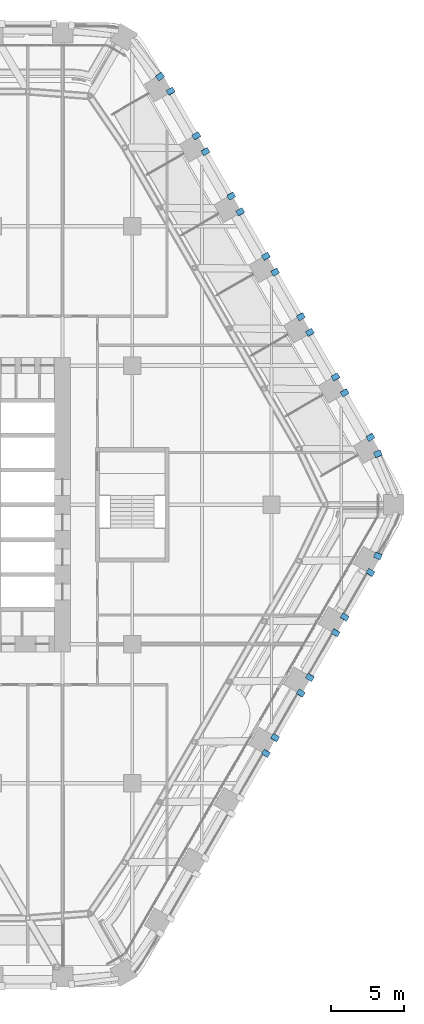
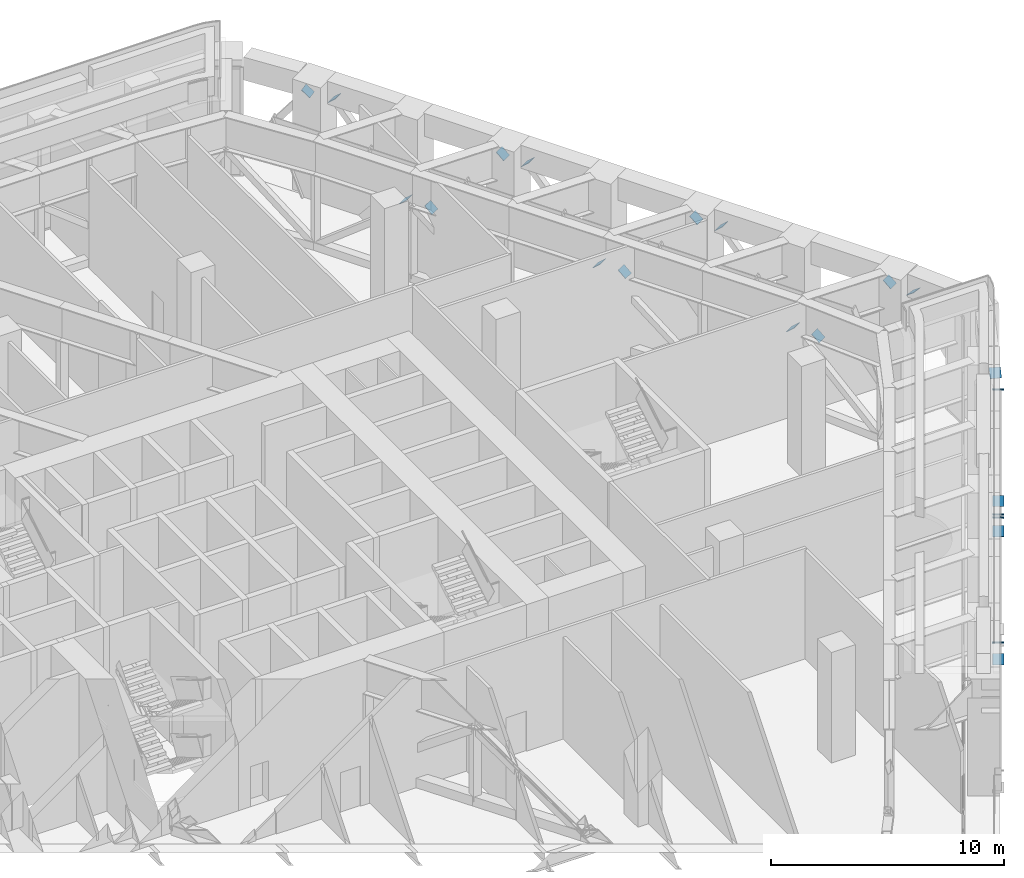
# One storey, part 30 of 35: 22 discrete accessories.
"""IFC4 building model written with IfcOpenShell, lengths in metres."""

from ifc_helpers import new_model, si_unit, direction, frame, origin, origin_2d, place, context, subcontext, project, spatial, rectangle, extrude, element, save


model = new_model("IFC4")

# Units and contexts
model_context = context("Model", 3, precision=1e-05, world=origin(), true_north=direction((0.0, 1.0)))
body_context = subcontext(model_context, "Body", "Model", "MODEL_VIEW")
ifc_project = project(units=[si_unit("LENGTHUNIT", "METRE"), si_unit("AREAUNIT", "SQUARE_METRE"), si_unit("VOLUMEUNIT", "CUBIC_METRE"), si_unit("PLANEANGLEUNIT", "RADIAN"), si_unit("MASSUNIT", "GRAM", prefix="KILO")], contexts=[model_context])

# Site, building, storey
site_placement = place(None, origin())
site = spatial("IfcSite", under=ifc_project, at=site_placement, CompositionType="ELEMENT")
building_placement = place(site_placement, origin())
building = spatial("IfcBuilding", under=site, at=building_placement, Name="Kolab Exchange Tower", CompositionType="ELEMENT")
storey_placement = place(building_placement, frame((0.0, 0.0, 71.89990234375)))
storey = spatial("IfcBuildingStorey", under=building, at=storey_placement, Name="L13", CompositionType="ELEMENT", Elevation=71.89990234375)

# Discrete accessories
for number, where, z_axis, x_axis, name in (
    (1, (21.110107421875, 29.5419921875, 4.4501953125), (0.362292688761, -0.489584714542, 0.793127237558), (0.803841899203, 0.59484300541, 0.0), "Gusset plate"),
    (2, (21.851318359375, 28.51171875, 4.4501953125), (-0.332614786834, 0.567401695188, 0.753274664301), (-0.862697970098, -0.505719499712, 0.0), "Gusset plate"),
    (3, (23.617431640625, 25.45263671875, 0.400146484375), (0.332614786834, -0.567401695188, -0.753274664301), (0.862697970098, 0.505719499712, 0.0), "Gusset plate"),
    (4, (24.251220703125, 24.354736328125, 0.400146484375), (-0.323872018217, 0.569229607776, -0.75570137584), (-0.869163832024, -0.494524249255, 0.0), "Gusset plate"),
    (5, (26.017578125, 21.295654296875, 4.4501953125), (0.323872018217, -0.569229607776, 0.75570137584), (0.869163832024, 0.494524249255, 0.0), "Gusset plate"),
    (6, (26.6513671875, 20.19775390625, 4.4501953125), (-0.332614786834, 0.567401695188, 0.753274664301), (-0.862697970098, -0.505719499712, 0.0), "Gusset plate"),
):
    element("IfcDiscreteAccessory", number, at=place(storey_placement, frame(where, z_axis=z_axis, x_axis=x_axis)), inside=storey, Name=name, ObjectType="GUSSET PLATE", PredefinedType="USERDEFINED", context=body_context, shape_type="SweptSolid", body=[
        extrude(rectangle(XDim=0.5, YDim=0.5, at=origin_2d()), origin(), (0.0, 0.0, 1.0), 0.02490234375),
    ])
discrete_accessory_1_placement = place(storey_placement, frame((28.41748046875, 17.138916015625, 0.400146484375), z_axis=(0.330768096403, -0.573979931994, -0.749092453619), x_axis=(0.866429964967, 0.499298623879, 0.0)))
element("IfcDiscreteAccessory", 7, at=discrete_accessory_1_placement, inside=storey, Name="Gusset plate", ObjectType="GUSSET PLATE", PredefinedType="USERDEFINED", context=body_context, shape_type="SweptSolid", body=[
    extrude(rectangle(XDim=0.5, YDim=0.5, at=origin_2d()), origin(), (0.0, 0.0, 1.0), 0.025146484375),
])
for number, where, z_axis, x_axis, name in (
    (8, (29.05126953125, 16.041015625, 0.400146484375), (-0.323872018217, 0.569229607776, -0.75570137584), (-0.869163832024, -0.494524249255, 0.0), "Gusset plate"),
    (9, (30.8173828125, 12.981689453125, 4.4501953125), (0.332614786834, -0.567401695188, 0.753274664301), (0.862697970098, 0.505719499712, 0.0), "Gusset plate"),
    (10, (31.451416015625, 11.884033203125, 4.4501953125), (-0.332614786834, 0.567401695188, 0.753274664301), (-0.862697970098, -0.505719499712, 0.0), "Gusset plate"),
    (11, (33.217529296875, 8.824951171875, 0.400146484375), (0.323872018217, -0.569229607776, -0.75570137584), (0.869163832024, 0.494524249255, 0.0), "Gusset plate"),
    (12, (33.851318359375, 7.72705078125, 0.400146484375), (-0.332614786834, 0.567401695188, -0.753274664301), (-0.862697970098, -0.505719499712, 0.0), "Gusset plate"),
    (13, (35.617431640625, 4.66796875, 4.4501953125), (0.332614786834, -0.567401695188, 0.753274664301), (0.862697970098, 0.505719499712, 0.0), "Gusset plate"),
    (14, (36.13916015625, 3.5107421875, 4.4501953125), (-0.234204865161, 0.565995090805, 0.790441419917), (-0.924016832422, -0.382351792726, 0.0), "Gusset plate"),
    (15, (36.13916015625, -3.5107421875, 4.4501953125), (-0.234204865161, -0.565995090805, 0.790441419917), (0.924016832422, -0.382351792726, 0.0), "Gusset plate"),
    (16, (35.617431640625, -4.66796875, 4.4501953125), (0.332614786834, 0.567401695188, 0.753274664301), (-0.862697970098, 0.505719499712, 0.0), "Gusset plate"),
    (17, (33.851318359375, -7.72705078125, 0.400146484375), (-0.332614786834, -0.567401695188, -0.753274664301), (0.862697970098, -0.505719499712, 0.0), "Gusset plate"),
    (18, (33.217529296875, -8.824951171875, 0.400146484375), (0.323872018217, 0.569229607776, -0.75570137584), (-0.869163832024, 0.494524249255, 0.0), "Gusset plate"),
    (19, (31.451416015625, -11.884033203125, 4.4501953125), (-0.332614786834, -0.567401695188, 0.753274664301), (0.862697970098, -0.505719499712, 0.0), "Gusset plate"),
    (20, (30.8173828125, -12.981689453125, 4.4501953125), (0.332614786834, 0.567401695188, 0.753274664301), (-0.862697970098, 0.505719499712, 0.0), "Gusset plate"),
    (21, (29.05126953125, -16.041015625, 0.400146484375), (-0.323872018217, -0.569229607776, -0.75570137584), (0.869163832024, -0.494524249255, 0.0), "Gusset plate"),
):
    element("IfcDiscreteAccessory", number, at=place(storey_placement, frame(where, z_axis=z_axis, x_axis=x_axis)), inside=storey, Name=name, ObjectType="GUSSET PLATE", PredefinedType="USERDEFINED", context=body_context, shape_type="SweptSolid", body=[
        extrude(rectangle(XDim=0.5, YDim=0.5, at=origin_2d()), origin(), (0.0, 0.0, 1.0), 0.02490234375),
    ])
discrete_accessory_2_placement = place(storey_placement, frame((28.41748046875, -17.138916015625, 0.400146484375), z_axis=(0.330768096403, 0.573979931994, -0.749092453619), x_axis=(-0.866429964967, 0.499298623879, 0.0)))
element("IfcDiscreteAccessory", 22, at=discrete_accessory_2_placement, inside=storey, Name="Gusset plate", ObjectType="GUSSET PLATE", PredefinedType="USERDEFINED", context=body_context, shape_type="SweptSolid", body=[
    extrude(rectangle(XDim=0.5, YDim=0.5, at=origin_2d()), origin(), (0.0, 0.0, 1.0), 0.025146484375),
])

save(model, "model.ifc")
